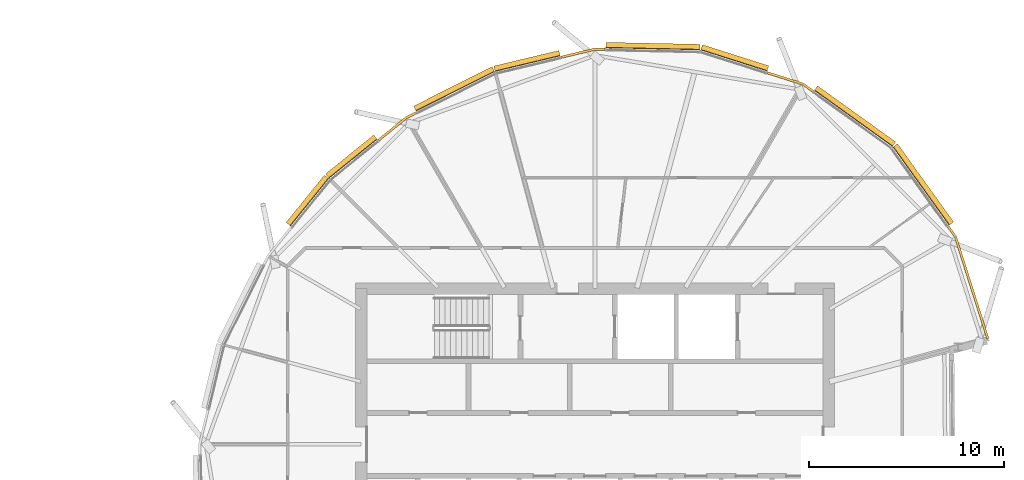
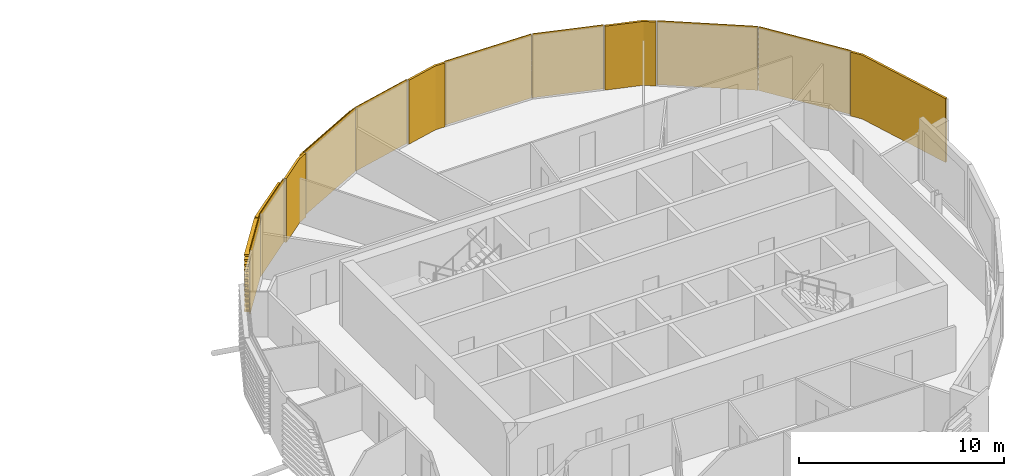
# One storey, part 36 of 36: 12 coverings.
"""IFC4 building model written with IfcOpenShell, lengths in metres."""

from ifc_helpers import new_model, si_unit, direction, frame, origin, place, context, subcontext, project, spatial, polyline, outline, extrude, material, layer, layer_set, material_profile, profile_set, type_object, element, save


model = new_model("IFC4")

# Units and contexts
model_context = context("Model", 3, precision=1e-05, world=origin(), true_north=direction((0.0, 1.0)))
body_context = subcontext(model_context, "Body", "Model", "MODEL_VIEW")
ifc_project = project(units=[si_unit("LENGTHUNIT", "METRE"), si_unit("AREAUNIT", "SQUARE_METRE"), si_unit("VOLUMEUNIT", "CUBIC_METRE"), si_unit("PLANEANGLEUNIT", "RADIAN"), si_unit("MASSUNIT", "GRAM", prefix="KILO")], contexts=[model_context])

# Site, building, storey
site_placement = place(None, origin())
site = spatial("IfcSite", under=ifc_project, at=site_placement, CompositionType="ELEMENT")
building_placement = place(site_placement, origin())
building = spatial("IfcBuilding", under=site, at=building_placement, Name="Rimbun Link Towers", CompositionType="ELEMENT")
storey_placement = place(building_placement, frame((0.0, 0.0, 200.699951171875)))
storey = spatial("IfcBuildingStorey", under=building, at=storey_placement, Name="L49", CompositionType="ELEMENT", Elevation=200.699951171875)

# Coverings
ifc_material_1 = material(Name="Terracotta", Category="masonry")
ifc_layer = layer(ifc_material_1, 0.1201171875)
ifc_layer_set = layer_set([ifc_layer], Name="LINK PIER terracotta cladding 120")
covering_type_1 = type_object("IfcCoveringType", Name="LINK PIER terracotta cladding 120", PredefinedType="CLADDING", material=ifc_layer_set)
covering_1_placement = place(storey_placement, origin())
element("IfcCovering", 1, at=covering_1_placement, inside=storey, type_object=covering_type_1, Name="LINK PIER cladding", PredefinedType="CLADDING", context=body_context, shape_type="SweptSolid", body=[
    extrude(outline(polyline([(40.57177734375, 19.030517578125), (42.4013671875, 18.44873046875), (42.905029296875, 18.087158203125), (42.97509765625, 18.184814453125), (42.455810546875, 18.557373046875), (40.608154296875, 19.14501953125), (40.57177734375, 19.030517578125)])), origin(), (0.0, 0.0, 1.0), 3.800048828125),
])
covering_2_placement = place(storey_placement, origin())
element("IfcCovering", 2, at=covering_2_placement, inside=storey, type_object=covering_type_1, Name="LINK PIER cladding", PredefinedType="CLADDING", context=body_context, shape_type="SweptSolid", body=[
    extrude(outline(polyline([(30.028564453125, 19.823486328125), (31.75, 20.235107421875), (32.269775390625, 20.22412109375), (32.2724609375, 20.34423828125), (31.737060546875, 20.35546875), (30.000732421875, 19.940185546875), (30.028564453125, 19.823486328125)])), origin(), (0.0, 0.0, 1.0), 3.800048828125),
])
covering_3_placement = place(storey_placement, origin())
element("IfcCovering", 3, at=covering_3_placement, inside=storey, type_object=covering_type_1, Name="LINK PIER cladding", PredefinedType="CLADDING", context=body_context, shape_type="SweptSolid", body=[
    extrude(outline(polyline([(20.6787109375, 15.580810546875), (22.09326171875, 16.725830078125), (22.602783203125, 16.981689453125), (22.548828125, 17.0888671875), (22.02783203125, 16.8271484375), (20.603271484375, 15.674072265625), (20.6787109375, 15.580810546875)])), origin(), (0.0, 0.0, 1.0), 3.800048828125),
])
covering_4_placement = place(storey_placement, origin())
element("IfcCovering", 4, at=covering_4_placement, inside=storey, type_object=covering_type_1, Name="LINK PIER cladding", PredefinedType="CLADDING", context=body_context, shape_type="SweptSolid", body=[
    extrude(outline(polyline([(49.837158203125, 11.155029296875), (50.19873046875, 10.6513671875), (51.8623046875, 5.420166015625), (51.976806640625, 5.45654296875), (50.307373046875, 10.705810546875), (49.934814453125, 11.22509765625), (49.837158203125, 11.155029296875)])), origin(), (0.0, 0.0, 1.0), 3.800048828125),
])
ifc_material_2 = material(Name="Terracotta", Category="masonry")
ifc_material_profile = material_profile(ifc_material_2, outline(polyline([(0.123046875, 0.0), (0.1630859375, 0.0), (0.1630859375, 0.10009765625), (0.423095703125, 0.10009765625), (0.423095703125, 0.219970703125), (0.1630859375, 0.219970703125), (0.1630859375, 0.39990234375), (0.423095703125, 0.39990234375), (0.423095703125, 0.52001953125), (0.1630859375, 0.52001953125), (0.1630859375, 0.699951171875), (0.423095703125, 0.699951171875), (0.423095703125, 0.820068359375), (0.1630859375, 0.820068359375), (0.1630859375, 1.0), (0.423095703125, 1.0), (0.423095703125, 1.1201171875), (0.1630859375, 1.1201171875), (0.1630859375, 1.300048828125), (0.423095703125, 1.300048828125), (0.423095703125, 1.419921875), (0.1630859375, 1.419921875), (0.1630859375, 1.60009765625), (0.423095703125, 1.60009765625), (0.423095703125, 1.719970703125), (0.1630859375, 1.719970703125), (0.1630859375, 1.89990234375), (0.423095703125, 1.89990234375), (0.423095703125, 2.02001953125), (0.1630859375, 2.02001953125), (0.1630859375, 2.199951171875), (0.423095703125, 2.199951171875), (0.423095703125, 2.320068359375), (0.1630859375, 2.320068359375), (0.1630859375, 2.5), (0.423095703125, 2.5), (0.423095703125, 2.6201171875), (0.1630859375, 2.6201171875), (0.1630859375, 2.800048828125), (0.423095703125, 2.800048828125), (0.423095703125, 2.919921875), (0.1630859375, 2.919921875), (0.1630859375, 3.10009765625), (0.423095703125, 3.10009765625), (0.423095703125, 3.219970703125), (0.1630859375, 3.219970703125), (0.1630859375, 3.39990234375), (0.423095703125, 3.39990234375), (0.423095703125, 3.52001953125), (0.1630859375, 3.52001953125), (0.1630859375, 3.800048828125), (0.123046875, 3.800048828125), (0.123046875, 0.0)])), Name="BAGUETTE 120X300")
ifc_profile_set = profile_set([ifc_material_profile], Name="Terracotta")
covering_type_2 = type_object("IfcCoveringType", Name="TERRACOTTA BAGUETTE 120X300 H3800", PredefinedType="CLADDING", material=ifc_profile_set)
covering_5_placement = place(storey_placement, frame((42.929443359375, 18.06982421875, 0.0), z_axis=(0.812472062268, -0.583000126959, 0.0), x_axis=(0.583000126959, 0.812472062268, 0.0)))
element("IfcCovering", 5, at=covering_5_placement, inside=storey, type_object=covering_type_2, Name="TERRACOTTA BAGUETTE", PredefinedType="CLADDING", context=body_context, shape_type="SweptSolid", body=[
    extrude(outline(polyline([(0.123046875, 0.0), (0.1630859375, 0.0), (0.1630859375, 0.10009765625), (0.423095703125, 0.10009765625), (0.423095703125, 0.219970703125), (0.1630859375, 0.219970703125), (0.1630859375, 0.39990234375), (0.423095703125, 0.39990234375), (0.423095703125, 0.52001953125), (0.1630859375, 0.52001953125), (0.1630859375, 0.699951171875), (0.423095703125, 0.699951171875), (0.423095703125, 0.820068359375), (0.1630859375, 0.820068359375), (0.1630859375, 1.0), (0.423095703125, 1.0), (0.423095703125, 1.1201171875), (0.1630859375, 1.1201171875), (0.1630859375, 1.300048828125), (0.423095703125, 1.300048828125), (0.423095703125, 1.419921875), (0.1630859375, 1.419921875), (0.1630859375, 1.60009765625), (0.423095703125, 1.60009765625), (0.423095703125, 1.719970703125), (0.1630859375, 1.719970703125), (0.1630859375, 1.89990234375), (0.423095703125, 1.89990234375), (0.423095703125, 2.02001953125), (0.1630859375, 2.02001953125), (0.1630859375, 2.199951171875), (0.423095703125, 2.199951171875), (0.423095703125, 2.320068359375), (0.1630859375, 2.320068359375), (0.1630859375, 2.5), (0.423095703125, 2.5), (0.423095703125, 2.6201171875), (0.1630859375, 2.6201171875), (0.1630859375, 2.800048828125), (0.423095703125, 2.800048828125), (0.423095703125, 2.919921875), (0.1630859375, 2.919921875), (0.1630859375, 3.10009765625), (0.423095703125, 3.10009765625), (0.423095703125, 3.219970703125), (0.1630859375, 3.219970703125), (0.1630859375, 3.39990234375), (0.423095703125, 3.39990234375), (0.423095703125, 3.52001953125), (0.1630859375, 3.52001953125), (0.1630859375, 3.800048828125), (0.123046875, 3.800048828125), (0.123046875, 0.0)])), origin(), (0.0, 0.0, 1.0), 4.937744140625),
])
covering_6_placement = place(storey_placement, frame((37.1416015625, 20.12158203125, 0.0), z_axis=(0.952969785043, -0.303065321002, 0.0), x_axis=(0.303065321002, 0.952969785043, 0.0)))
element("IfcCovering", 6, at=covering_6_placement, inside=storey, type_object=covering_type_2, Name="TERRACOTTA BAGUETTE", PredefinedType="CLADDING", context=body_context, shape_type="SweptSolid", body=[
    extrude(outline(polyline([(0.123046875, 0.0), (0.1630859375, 0.0), (0.1630859375, 0.10009765625), (0.423095703125, 0.10009765625), (0.423095703125, 0.219970703125), (0.1630859375, 0.219970703125), (0.1630859375, 0.39990234375), (0.423095703125, 0.39990234375), (0.423095703125, 0.52001953125), (0.1630859375, 0.52001953125), (0.1630859375, 0.699951171875), (0.423095703125, 0.699951171875), (0.423095703125, 0.820068359375), (0.1630859375, 0.820068359375), (0.1630859375, 1.0), (0.423095703125, 1.0), (0.423095703125, 1.1201171875), (0.1630859375, 1.1201171875), (0.1630859375, 1.300048828125), (0.423095703125, 1.300048828125), (0.423095703125, 1.419921875), (0.1630859375, 1.419921875), (0.1630859375, 1.60009765625), (0.423095703125, 1.60009765625), (0.423095703125, 1.719970703125), (0.1630859375, 1.719970703125), (0.1630859375, 1.89990234375), (0.423095703125, 1.89990234375), (0.423095703125, 2.02001953125), (0.1630859375, 2.02001953125), (0.1630859375, 2.199951171875), (0.423095703125, 2.199951171875), (0.423095703125, 2.320068359375), (0.1630859375, 2.320068359375), (0.1630859375, 2.5), (0.423095703125, 2.5), (0.423095703125, 2.6201171875), (0.1630859375, 2.6201171875), (0.1630859375, 2.800048828125), (0.423095703125, 2.800048828125), (0.423095703125, 2.919921875), (0.1630859375, 2.919921875), (0.1630859375, 3.10009765625), (0.423095703125, 3.10009765625), (0.423095703125, 3.219970703125), (0.1630859375, 3.219970703125), (0.1630859375, 3.39990234375), (0.423095703125, 3.39990234375), (0.423095703125, 3.52001953125), (0.1630859375, 3.52001953125), (0.1630859375, 3.800048828125), (0.123046875, 3.800048828125), (0.123046875, 0.0)])), origin(), (0.0, 0.0, 1.0), 3.569580078125),
])
covering_7_placement = place(storey_placement, frame((32.2998046875, 20.2236328125, 0.0), z_axis=(0.99977795302, -0.021072367102, 0.0), x_axis=(0.021072367102, 0.99977795302, 0.0)))
element("IfcCovering", 7, at=covering_7_placement, inside=storey, type_object=covering_type_2, Name="TERRACOTTA BAGUETTE", PredefinedType="CLADDING", context=body_context, shape_type="SweptSolid", body=[
    extrude(outline(polyline([(0.123046875, 0.0), (0.1630859375, 0.0), (0.1630859375, 0.10009765625), (0.423095703125, 0.10009765625), (0.423095703125, 0.219970703125), (0.1630859375, 0.219970703125), (0.1630859375, 0.39990234375), (0.423095703125, 0.39990234375), (0.423095703125, 0.52001953125), (0.1630859375, 0.52001953125), (0.1630859375, 0.699951171875), (0.423095703125, 0.699951171875), (0.423095703125, 0.820068359375), (0.1630859375, 0.820068359375), (0.1630859375, 1.0), (0.423095703125, 1.0), (0.423095703125, 1.1201171875), (0.1630859375, 1.1201171875), (0.1630859375, 1.300048828125), (0.423095703125, 1.300048828125), (0.423095703125, 1.419921875), (0.1630859375, 1.419921875), (0.1630859375, 1.60009765625), (0.423095703125, 1.60009765625), (0.423095703125, 1.719970703125), (0.1630859375, 1.719970703125), (0.1630859375, 1.89990234375), (0.423095703125, 1.89990234375), (0.423095703125, 2.02001953125), (0.1630859375, 2.02001953125), (0.1630859375, 2.199951171875), (0.423095703125, 2.199951171875), (0.423095703125, 2.320068359375), (0.1630859375, 2.320068359375), (0.1630859375, 2.5), (0.423095703125, 2.5), (0.423095703125, 2.6201171875), (0.1630859375, 2.6201171875), (0.1630859375, 2.800048828125), (0.423095703125, 2.800048828125), (0.423095703125, 2.919921875), (0.1630859375, 2.919921875), (0.1630859375, 3.10009765625), (0.423095703125, 3.10009765625), (0.423095703125, 3.219970703125), (0.1630859375, 3.219970703125), (0.1630859375, 3.39990234375), (0.423095703125, 3.39990234375), (0.423095703125, 3.52001953125), (0.1630859375, 3.52001953125), (0.1630859375, 3.800048828125), (0.123046875, 3.800048828125), (0.123046875, 0.0)])), origin(), (0.0, 0.0, 1.0), 4.8427734375),
])
covering_8_placement = place(storey_placement, frame((26.654541015625, 19.016357421875, 0.0), z_axis=(0.97256422838, 0.232634523825, 0.0), x_axis=(-0.232634523825, 0.97256422838, 0.0)))
element("IfcCovering", 8, at=covering_8_placement, inside=storey, type_object=covering_type_2, Name="TERRACOTTA BAGUETTE", PredefinedType="CLADDING", context=body_context, shape_type="SweptSolid", body=[
    extrude(outline(polyline([(0.123046875, 0.0), (0.1630859375, 0.0), (0.1630859375, 0.10009765625), (0.423095703125, 0.10009765625), (0.423095703125, 0.219970703125), (0.1630859375, 0.219970703125), (0.1630859375, 0.39990234375), (0.423095703125, 0.39990234375), (0.423095703125, 0.52001953125), (0.1630859375, 0.52001953125), (0.1630859375, 0.699951171875), (0.423095703125, 0.699951171875), (0.423095703125, 0.820068359375), (0.1630859375, 0.820068359375), (0.1630859375, 1.0), (0.423095703125, 1.0), (0.423095703125, 1.1201171875), (0.1630859375, 1.1201171875), (0.1630859375, 1.300048828125), (0.423095703125, 1.300048828125), (0.423095703125, 1.419921875), (0.1630859375, 1.419921875), (0.1630859375, 1.60009765625), (0.423095703125, 1.60009765625), (0.423095703125, 1.719970703125), (0.1630859375, 1.719970703125), (0.1630859375, 1.89990234375), (0.423095703125, 1.89990234375), (0.423095703125, 2.02001953125), (0.1630859375, 2.02001953125), (0.1630859375, 2.199951171875), (0.423095703125, 2.199951171875), (0.423095703125, 2.320068359375), (0.1630859375, 2.320068359375), (0.1630859375, 2.5), (0.423095703125, 2.5), (0.423095703125, 2.6201171875), (0.1630859375, 2.6201171875), (0.1630859375, 2.800048828125), (0.423095703125, 2.800048828125), (0.423095703125, 2.919921875), (0.1630859375, 2.919921875), (0.1630859375, 3.10009765625), (0.423095703125, 3.10009765625), (0.423095703125, 3.219970703125), (0.1630859375, 3.219970703125), (0.1630859375, 3.39990234375), (0.423095703125, 3.39990234375), (0.423095703125, 3.52001953125), (0.1630859375, 3.52001953125), (0.1630859375, 3.800048828125), (0.123046875, 3.800048828125), (0.123046875, 0.0)])), origin(), (0.0, 0.0, 1.0), 3.43896484375),
])
covering_9_placement = place(storey_placement, frame((22.62939453125, 16.9951171875, 0.0), z_axis=(0.89365617395, 0.448752317834, 0.0), x_axis=(-0.448752317834, 0.89365617395, 0.0)))
element("IfcCovering", 9, at=covering_9_placement, inside=storey, type_object=covering_type_2, Name="TERRACOTTA BAGUETTE", PredefinedType="CLADDING", context=body_context, shape_type="SweptSolid", body=[
    extrude(outline(polyline([(0.123046875, 0.0), (0.1630859375, 0.0), (0.1630859375, 0.10009765625), (0.423095703125, 0.10009765625), (0.423095703125, 0.219970703125), (0.1630859375, 0.219970703125), (0.1630859375, 0.39990234375), (0.423095703125, 0.39990234375), (0.423095703125, 0.52001953125), (0.1630859375, 0.52001953125), (0.1630859375, 0.699951171875), (0.423095703125, 0.699951171875), (0.423095703125, 0.820068359375), (0.1630859375, 0.820068359375), (0.1630859375, 1.0), (0.423095703125, 1.0), (0.423095703125, 1.1201171875), (0.1630859375, 1.1201171875), (0.1630859375, 1.300048828125), (0.423095703125, 1.300048828125), (0.423095703125, 1.419921875), (0.1630859375, 1.419921875), (0.1630859375, 1.60009765625), (0.423095703125, 1.60009765625), (0.423095703125, 1.719970703125), (0.1630859375, 1.719970703125), (0.1630859375, 1.89990234375), (0.423095703125, 1.89990234375), (0.423095703125, 2.02001953125), (0.1630859375, 2.02001953125), (0.1630859375, 2.199951171875), (0.423095703125, 2.199951171875), (0.423095703125, 2.320068359375), (0.1630859375, 2.320068359375), (0.1630859375, 2.5), (0.423095703125, 2.5), (0.423095703125, 2.6201171875), (0.1630859375, 2.6201171875), (0.1630859375, 2.800048828125), (0.423095703125, 2.800048828125), (0.423095703125, 2.919921875), (0.1630859375, 2.919921875), (0.1630859375, 3.10009765625), (0.423095703125, 3.10009765625), (0.423095703125, 3.219970703125), (0.1630859375, 3.219970703125), (0.1630859375, 3.39990234375), (0.423095703125, 3.39990234375), (0.423095703125, 3.52001953125), (0.1630859375, 3.52001953125), (0.1630859375, 3.800048828125), (0.123046875, 3.800048828125), (0.123046875, 0.0)])), origin(), (0.0, 0.0, 1.0), 4.504150390625),
])
covering_10_placement = place(storey_placement, frame((18.1865234375, 13.5634765625, 0.0), z_axis=(0.777278880577, 0.629156214154, 0.0), x_axis=(-0.629156214154, 0.777278880577, 0.0)))
element("IfcCovering", 10, at=covering_10_placement, inside=storey, type_object=covering_type_2, Name="TERRACOTTA BAGUETTE", PredefinedType="CLADDING", context=body_context, shape_type="SweptSolid", body=[
    extrude(outline(polyline([(0.123046875, 0.0), (0.1630859375, 0.0), (0.1630859375, 0.10009765625), (0.423095703125, 0.10009765625), (0.423095703125, 0.219970703125), (0.1630859375, 0.219970703125), (0.1630859375, 0.39990234375), (0.423095703125, 0.39990234375), (0.423095703125, 0.52001953125), (0.1630859375, 0.52001953125), (0.1630859375, 0.699951171875), (0.423095703125, 0.699951171875), (0.423095703125, 0.820068359375), (0.1630859375, 0.820068359375), (0.1630859375, 1.0), (0.423095703125, 1.0), (0.423095703125, 1.1201171875), (0.1630859375, 1.1201171875), (0.1630859375, 1.300048828125), (0.423095703125, 1.300048828125), (0.423095703125, 1.419921875), (0.1630859375, 1.419921875), (0.1630859375, 1.60009765625), (0.423095703125, 1.60009765625), (0.423095703125, 1.719970703125), (0.1630859375, 1.719970703125), (0.1630859375, 1.89990234375), (0.423095703125, 1.89990234375), (0.423095703125, 2.02001953125), (0.1630859375, 2.02001953125), (0.1630859375, 2.199951171875), (0.423095703125, 2.199951171875), (0.423095703125, 2.320068359375), (0.1630859375, 2.320068359375), (0.1630859375, 2.5), (0.423095703125, 2.5), (0.423095703125, 2.6201171875), (0.1630859375, 2.6201171875), (0.1630859375, 2.800048828125), (0.423095703125, 2.800048828125), (0.423095703125, 2.919921875), (0.1630859375, 2.919921875), (0.1630859375, 3.10009765625), (0.423095703125, 3.10009765625), (0.423095703125, 3.219970703125), (0.1630859375, 3.219970703125), (0.1630859375, 3.39990234375), (0.423095703125, 3.39990234375), (0.423095703125, 3.52001953125), (0.1630859375, 3.52001953125), (0.1630859375, 3.800048828125), (0.123046875, 3.800048828125), (0.123046875, 0.0)])), origin(), (0.0, 0.0, 1.0), 3.176025390625),
])
covering_11_placement = place(storey_placement, frame((16.219482421875, 11.133544921875, 0.0), z_axis=(0.629189242669, 0.777252145002, 0.0), x_axis=(-0.777252145002, 0.629189242669, 0.0)))
element("IfcCovering", 11, at=covering_11_placement, inside=storey, type_object=covering_type_2, Name="TERRACOTTA BAGUETTE", PredefinedType="CLADDING", context=body_context, shape_type="SweptSolid", body=[
    extrude(outline(polyline([(0.123046875, 0.0), (0.1630859375, 0.0), (0.1630859375, 0.10009765625), (0.423095703125, 0.10009765625), (0.423095703125, 0.219970703125), (0.1630859375, 0.219970703125), (0.1630859375, 0.39990234375), (0.423095703125, 0.39990234375), (0.423095703125, 0.52001953125), (0.1630859375, 0.52001953125), (0.1630859375, 0.699951171875), (0.423095703125, 0.699951171875), (0.423095703125, 0.820068359375), (0.1630859375, 0.820068359375), (0.1630859375, 1.0), (0.423095703125, 1.0), (0.423095703125, 1.1201171875), (0.1630859375, 1.1201171875), (0.1630859375, 1.300048828125), (0.423095703125, 1.300048828125), (0.423095703125, 1.419921875), (0.1630859375, 1.419921875), (0.1630859375, 1.60009765625), (0.423095703125, 1.60009765625), (0.423095703125, 1.719970703125), (0.1630859375, 1.719970703125), (0.1630859375, 1.89990234375), (0.423095703125, 1.89990234375), (0.423095703125, 2.02001953125), (0.1630859375, 2.02001953125), (0.1630859375, 2.199951171875), (0.423095703125, 2.199951171875), (0.423095703125, 2.320068359375), (0.1630859375, 2.320068359375), (0.1630859375, 2.5), (0.423095703125, 2.5), (0.423095703125, 2.6201171875), (0.1630859375, 2.6201171875), (0.1630859375, 2.800048828125), (0.423095703125, 2.800048828125), (0.423095703125, 2.919921875), (0.1630859375, 2.919921875), (0.1630859375, 3.10009765625), (0.423095703125, 3.10009765625), (0.423095703125, 3.219970703125), (0.1630859375, 3.219970703125), (0.1630859375, 3.39990234375), (0.423095703125, 3.39990234375), (0.423095703125, 3.52001953125), (0.1630859375, 3.52001953125), (0.1630859375, 3.800048828125), (0.123046875, 3.800048828125), (0.123046875, 0.0)])), origin(), (0.0, 0.0, 1.0), 3.126220703125),
])
covering_12_placement = place(storey_placement, frame((46.941162109375, 15.191162109375, 0.0), z_axis=(0.583000126959, -0.812472062268, 0.0), x_axis=(0.812472062268, 0.583000126959, 0.0)))
element("IfcCovering", 12, at=covering_12_placement, inside=storey, type_object=covering_type_2, Name="TERRACOTTA BAGUETTE", PredefinedType="CLADDING", context=body_context, shape_type="SweptSolid", body=[
    extrude(outline(polyline([(0.123046875, 0.0), (0.1630859375, 0.0), (0.1630859375, 0.10009765625), (0.423095703125, 0.10009765625), (0.423095703125, 0.219970703125), (0.1630859375, 0.219970703125), (0.1630859375, 0.39990234375), (0.423095703125, 0.39990234375), (0.423095703125, 0.52001953125), (0.1630859375, 0.52001953125), (0.1630859375, 0.699951171875), (0.423095703125, 0.699951171875), (0.423095703125, 0.820068359375), (0.1630859375, 0.820068359375), (0.1630859375, 1.0), (0.423095703125, 1.0), (0.423095703125, 1.1201171875), (0.1630859375, 1.1201171875), (0.1630859375, 1.300048828125), (0.423095703125, 1.300048828125), (0.423095703125, 1.419921875), (0.1630859375, 1.419921875), (0.1630859375, 1.60009765625), (0.423095703125, 1.60009765625), (0.423095703125, 1.719970703125), (0.1630859375, 1.719970703125), (0.1630859375, 1.89990234375), (0.423095703125, 1.89990234375), (0.423095703125, 2.02001953125), (0.1630859375, 2.02001953125), (0.1630859375, 2.199951171875), (0.423095703125, 2.199951171875), (0.423095703125, 2.320068359375), (0.1630859375, 2.320068359375), (0.1630859375, 2.5), (0.423095703125, 2.5), (0.423095703125, 2.6201171875), (0.1630859375, 2.6201171875), (0.1630859375, 2.800048828125), (0.423095703125, 2.800048828125), (0.423095703125, 2.919921875), (0.1630859375, 2.919921875), (0.1630859375, 3.10009765625), (0.423095703125, 3.10009765625), (0.423095703125, 3.219970703125), (0.1630859375, 3.219970703125), (0.1630859375, 3.39990234375), (0.423095703125, 3.39990234375), (0.423095703125, 3.52001953125), (0.1630859375, 3.52001953125), (0.1630859375, 3.800048828125), (0.123046875, 3.800048828125), (0.123046875, 0.0)])), origin(), (0.0, 0.0, 1.0), 4.937744140625),
])

save(model, "model.ifc")
